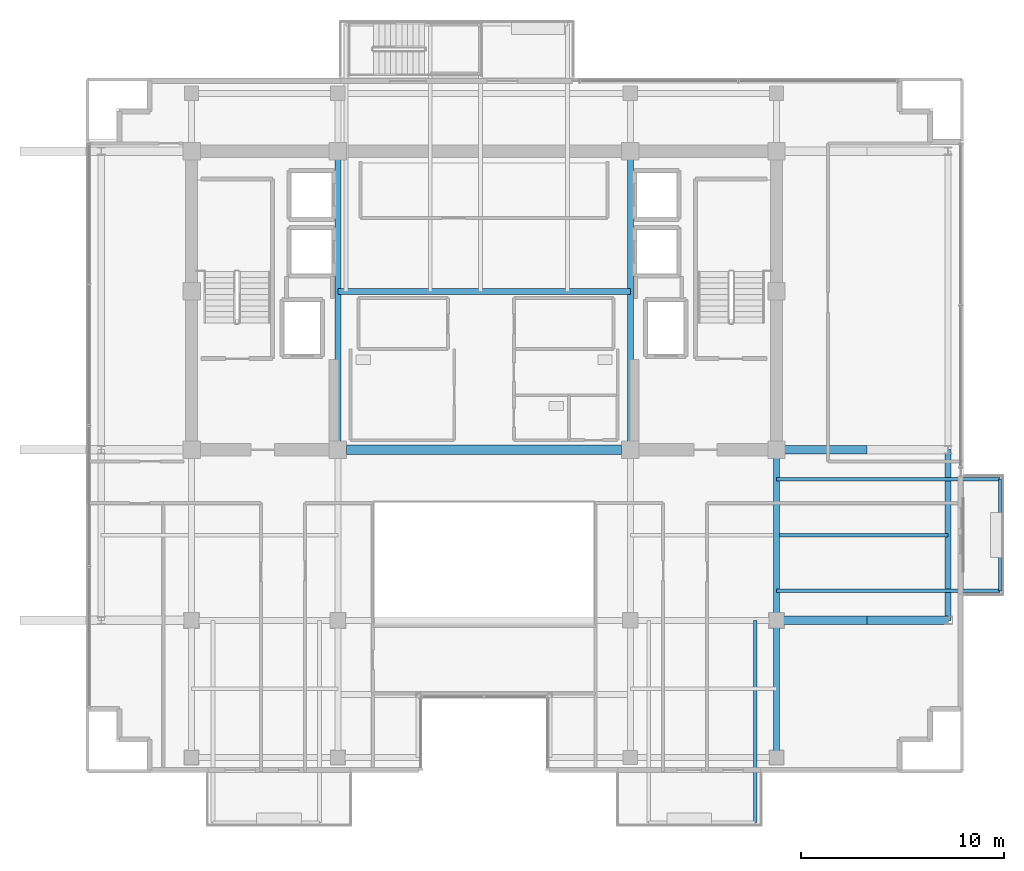
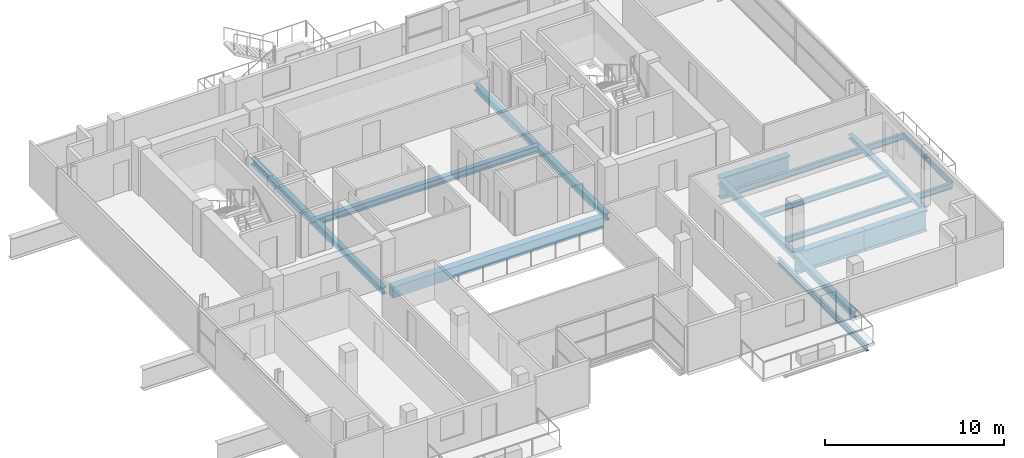
# One storey, part 8 of 23: 15 beams.
"""IFC4 building model written with IfcOpenShell, lengths in metres."""

from ifc_helpers import new_model, si_unit, direction, frame, origin, origin_2d, place, context, subcontext, project, spatial, rectangle, i_section, extrude, material, material_profile, profile_set, type_object, element, save


model = new_model("IFC4")

# Units and contexts
model_context = context("Model", 3, precision=1e-05, world=origin(), true_north=direction((0.0, 1.0)))
body_context = subcontext(model_context, "Body", "Model", "MODEL_VIEW")
ifc_project = project(units=[si_unit("LENGTHUNIT", "METRE"), si_unit("AREAUNIT", "SQUARE_METRE"), si_unit("VOLUMEUNIT", "CUBIC_METRE"), si_unit("PLANEANGLEUNIT", "RADIAN"), si_unit("MASSUNIT", "GRAM", prefix="KILO")], contexts=[model_context])

# Site, building, storey
site_placement = place(None, origin())
site = spatial("IfcSite", under=ifc_project, at=site_placement, CompositionType="ELEMENT")
building_placement = place(site_placement, origin())
building = spatial("IfcBuilding", under=site, at=building_placement, Name="Zarnakvel Exchange Tower", CompositionType="ELEMENT")
storey_placement = place(building_placement, frame((0.0, 0.0, 232.0)))
storey = spatial("IfcBuildingStorey", under=building, at=storey_placement, Name="L65", CompositionType="ELEMENT", Elevation=232.0)

# Beams
ifc_material_1 = material(Name="Steel S355", Category="steel")
ifc_material_profile_1 = material_profile(ifc_material_1, i_section(OverallWidth=0.179931640625, OverallDepth=0.39990234375, WebThickness=0.008544921875, FlangeThickness=0.013427734375, FilletRadius=0.02099609375, at=origin_2d()))
ifc_profile_set_1 = profile_set([ifc_material_profile_1], Name="Steel S355")
beam_type_1 = type_object("IfcBeamType", Name="B-06", PredefinedType="JOIST", material=ifc_profile_set_1)
beam_1_placement = place(storey_placement, frame((13.35009765625, -9.60009765625, -0.425048828125), z_axis=(0.0, -1.0, 0.0), x_axis=(1.0, 0.0, 0.0)))
element("IfcBeam", 1, at=beam_1_placement, inside=storey, type_object=beam_type_1, Name="L65 Continuous Back-Spanned Balcony Beam E", PredefinedType="JOIST", context=body_context, shape_type="SweptSolid", body=[
    extrude(i_section(OverallWidth=0.179931640625, OverallDepth=0.39990234375, WebThickness=0.008544921875, FlangeThickness=0.013427734375, FilletRadius=0.02099609375, at=origin_2d()), origin(), (0.0, 0.0, 1.0), 9.949951171875),
])
for number, where, z_axis, x_axis, name in (
    (2, (14.39990234375, -8.14990234375, -0.425048828125), (1.0, 0.0, 0.0), (0.0, 1.0, 0.0), "L65 Continuous East Loggia Beam S"),
    (3, (14.39990234375, -2.64990234375, -0.425048828125), (1.0, 0.0, 0.0), (0.0, 1.0, 0.0), "L65 Continuous East Loggia Beam N"),
):
    element("IfcBeam", number, at=place(storey_placement, frame(where, z_axis=z_axis, x_axis=x_axis)), inside=storey, type_object=beam_type_1, Name=name, PredefinedType="JOIST", context=body_context, shape_type="SweptSolid", body=[
        extrude(i_section(OverallWidth=0.179931640625, OverallDepth=0.39990234375, WebThickness=0.008544921875, FlangeThickness=0.013427734375, FilletRadius=0.02099609375, at=origin_2d()), origin(), (0.0, 0.0, 1.0), 11.0),
    ])
ifc_material_profile_2 = material_profile(ifc_material_1, i_section(OverallWidth=0.169921875, OverallDepth=0.360107421875, WebThickness=0.008056640625, FlangeThickness=0.0126953125, FilletRadius=0.01806640625, at=origin_2d()))
ifc_profile_set_2 = profile_set([ifc_material_profile_2], Name="Steel S355")
beam_type_2 = type_object("IfcBeamType", Name="B-07", PredefinedType="JOIST", material=ifc_profile_set_2)
beam_2_placement = place(storey_placement, frame((14.550048828125, -5.39990234375, -0.405029296875), z_axis=(1.0, 0.0, 0.0), x_axis=(0.0, 1.0, 0.0)))
element("IfcBeam", 4, at=beam_2_placement, inside=storey, type_object=beam_type_2, Name="L65 Composite Floor Secondary Joist", PredefinedType="JOIST", context=body_context, shape_type="SweptSolid", body=[
    extrude(i_section(OverallWidth=0.169921875, OverallDepth=0.360107421875, WebThickness=0.008056640625, FlangeThickness=0.0126953125, FilletRadius=0.01806640625, at=origin_2d()), origin(), (0.0, 0.0, 1.0), 8.300048828125),
])
ifc_material_profile_3 = material_profile(ifc_material_1, i_section(OverallWidth=0.14990234375, OverallDepth=0.300048828125, WebThickness=0.007080078125, FlangeThickness=0.0107421875, FilletRadius=0.014892578125, at=origin_2d()))
ifc_profile_set_3 = profile_set([ifc_material_profile_3], Name="Steel S355")
beam_type_3 = type_object("IfcBeamType", Name="B-08", PredefinedType="JOIST", material=ifc_profile_set_3)
beam_3_placement = place(storey_placement, frame((25.39990234375, -8.14990234375, -0.375), z_axis=(0.0, 1.0, 0.0), x_axis=(-1.0, 0.0, 0.0)))
element("IfcBeam", 5, at=beam_3_placement, inside=storey, type_object=beam_type_3, Name="L65 East Loggia Edge Beam", PredefinedType="JOIST", context=body_context, shape_type="SweptSolid", body=[
    extrude(i_section(OverallWidth=0.14990234375, OverallDepth=0.300048828125, WebThickness=0.007080078125, FlangeThickness=0.0107421875, FilletRadius=0.014892578125, at=origin_2d()), origin(), (0.0, 0.0, 1.0), 5.5),
])
ifc_material_2 = material(Name="Concrete C50/60", Category="concrete")
ifc_material_profile_4 = material_profile(ifc_material_2, rectangle(XDim=0.449951171875, YDim=0.75, at=origin_2d()))
ifc_profile_set_4 = profile_set([ifc_material_profile_4], Name="Concrete C50/60")
beam_type_4 = type_object("IfcBeamType", Name="CB-03", PredefinedType="LINTEL", material=ifc_profile_set_4)
beam_4_placement = place(storey_placement, frame((-6.77490234375, -1.199951171875, -0.60009765625), z_axis=(1.0, 0.0, 0.0), x_axis=(0.0, 1.0, 0.0)))
element("IfcBeam", 6, at=beam_4_placement, inside=storey, type_object=beam_type_4, Name="L65 Rear Core South Coupling Beam (CB-03)", PredefinedType="LINTEL", context=body_context, shape_type="SweptSolid", body=[
    extrude(rectangle(XDim=0.449951171875, YDim=0.75, at=origin_2d()), origin(), (0.0, 0.0, 1.0), 13.5498046875),
])
ifc_material_profile_5 = material_profile(ifc_material_1, i_section(OverallWidth=0.300048828125, OverallDepth=0.449951171875, WebThickness=0.013916015625, FlangeThickness=0.02587890625, FilletRadius=0.027099609375, at=origin_2d()))
ifc_profile_set_5 = profile_set([ifc_material_profile_5], Name="Steel S355")
beam_type_5 = type_object("IfcBeamType", Name="G-07", PredefinedType="BEAM", material=ifc_profile_set_5)
for number, where, z_axis, x_axis, name in (
    (7, (-7.199951171875, -1.199951171875, -0.449951171875), (0.0, 1.0, 0.0), (-1.0, 0.0, 0.0), "L65 Tower N-S Frame Beam"),
    (8, (7.199951171875, -1.199951171875, -0.449951171875), (0.0, 1.0, 0.0), (-1.0, 0.0, 0.0), "L65 Tower N-S Frame Beam"),
):
    element("IfcBeam", number, at=place(storey_placement, frame(where, z_axis=z_axis, x_axis=x_axis)), inside=storey, type_object=beam_type_5, Name=name, PredefinedType="BEAM", context=body_context, shape_type="SweptSolid", body=[
        extrude(i_section(OverallWidth=0.300048828125, OverallDepth=0.449951171875, WebThickness=0.013916015625, FlangeThickness=0.02587890625, FilletRadius=0.027099609375, at=origin_2d()), origin(), (0.0, 0.0, 1.0), 14.699951171875),
    ])
beam_5_placement = place(storey_placement, frame((14.39990234375, -16.35009765625, -0.449951171875), z_axis=(0.0, 1.0, 0.0), x_axis=(-1.0, 0.0, 0.0)))
element("IfcBeam", 9, at=beam_5_placement, inside=storey, type_object=beam_type_5, Name="L65 Tower N-S Frame Beam", PredefinedType="BEAM", context=body_context, shape_type="SweptSolid", body=[
    extrude(i_section(OverallWidth=0.300048828125, OverallDepth=0.449951171875, WebThickness=0.013916015625, FlangeThickness=0.02587890625, FilletRadius=0.027099609375, at=origin_2d()), origin(), (0.0, 0.0, 1.0), 6.75),
])
beam_6_placement = place(storey_placement, frame((14.39990234375, -9.60009765625, -0.449951171875), z_axis=(0.0, 1.0, 0.0), x_axis=(-1.0, 0.0, 0.0)))
element("IfcBeam", 10, at=beam_6_placement, inside=storey, type_object=beam_type_5, Name="L65 Tower N-S Frame Beam", PredefinedType="BEAM", context=body_context, shape_type="SweptSolid", body=[
    extrude(i_section(OverallWidth=0.300048828125, OverallDepth=0.449951171875, WebThickness=0.013916015625, FlangeThickness=0.02587890625, FilletRadius=0.027099609375, at=origin_2d()), origin(), (0.0, 0.0, 1.0), 8.400146484375),
])
beam_7_placement = place(storey_placement, frame((-7.199951171875, 6.60009765625, -0.449951171875), z_axis=(1.0, 0.0, 0.0), x_axis=(0.0, 1.0, 0.0)))
element("IfcBeam", 11, at=beam_7_placement, inside=storey, type_object=beam_type_5, Name="L65 Core Central Lobby Mid Girder", PredefinedType="BEAM", context=body_context, shape_type="SweptSolid", body=[
    extrude(i_section(OverallWidth=0.300048828125, OverallDepth=0.449951171875, WebThickness=0.013916015625, FlangeThickness=0.02587890625, FilletRadius=0.027099609375, at=origin_2d()), origin(), (0.0, 0.0, 1.0), 14.39990234375),
])
ifc_material_profile_6 = material_profile(ifc_material_1, i_section(OverallWidth=0.300048828125, OverallDepth=0.300048828125, WebThickness=0.010986328125, FlangeThickness=0.01904296875, FilletRadius=0.027099609375, at=origin_2d()))
ifc_profile_set_6 = profile_set([ifc_material_profile_6], Name="Steel S355")
beam_type_6 = type_object("IfcBeamType", Name="SP-03", PredefinedType="SPANDREL", material=ifc_profile_set_6)
beam_8_placement = place(storey_placement, frame((22.85009765625, -9.60009765625, -0.375), z_axis=(0.0, 1.0, 0.0), x_axis=(-1.0, 0.0, 0.0)))
element("IfcBeam", 12, at=beam_8_placement, inside=storey, type_object=beam_type_6, Name="L65 Tower N-S Frame Beam", PredefinedType="SPANDREL", context=body_context, shape_type="SweptSolid", body=[
    extrude(i_section(OverallWidth=0.300048828125, OverallDepth=0.300048828125, WebThickness=0.010986328125, FlangeThickness=0.01904296875, FilletRadius=0.027099609375, at=origin_2d()), origin(), (0.0, 0.0, 1.0), 8.400146484375),
])
ifc_material_3 = material(Name="Steel S460", Category="steel")
ifc_material_profile_7 = material_profile(ifc_material_3, i_section(OverallWidth=0.419921875, OverallDepth=1.449951171875, WebThickness=0.02392578125, FlangeThickness=0.0400390625, FilletRadius=0.030029296875, at=origin_2d()))
ifc_profile_set_7 = profile_set([ifc_material_profile_7], Name="Steel S460")
beam_type_7 = type_object("IfcBeamType", Name="TG-01", PredefinedType="BEAM", material=ifc_profile_set_7)
beam_9_placement = place(storey_placement, frame((14.39990234375, -9.60009765625, -0.949951171875), z_axis=(1.0, 0.0, 0.0), x_axis=(0.0, 1.0, 0.0)))
element("IfcBeam", 13, at=beam_9_placement, inside=storey, type_object=beam_type_7, Name="L65 Block-Shift Backspan Transfer TE-C", PredefinedType="BEAM", context=body_context, shape_type="SweptSolid", body=[
    extrude(i_section(OverallWidth=0.419921875, OverallDepth=1.449951171875, WebThickness=0.02392578125, FlangeThickness=0.0400390625, FilletRadius=0.030029296875, at=origin_2d()), origin(), (0.0, 0.0, 1.0), 4.4501953125),
])
beam_10_placement = place(storey_placement, frame((18.85009765625, -9.60009765625, -0.949951171875), z_axis=(1.0, 0.0, 0.0), x_axis=(0.0, 1.0, 0.0)))
element("IfcBeam", 14, at=beam_10_placement, inside=storey, type_object=beam_type_7, Name="L65 Block-Shift Cantilever Transfer TE-C", PredefinedType="BEAM", context=body_context, shape_type="SweptSolid", body=[
    extrude(i_section(OverallWidth=0.419921875, OverallDepth=1.449951171875, WebThickness=0.02392578125, FlangeThickness=0.0400390625, FilletRadius=0.030029296875, at=origin_2d()), origin(), (0.0, 0.0, 1.0), 4.0),
])
beam_11_placement = place(storey_placement, frame((14.39990234375, -1.199951171875, -0.949951171875), z_axis=(1.0, 0.0, 0.0), x_axis=(0.0, 1.0, 0.0)))
element("IfcBeam", 15, at=beam_11_placement, inside=storey, type_object=beam_type_7, Name="L65 Block-Shift Backspan Transfer TE-D", PredefinedType="BEAM", context=body_context, shape_type="SweptSolid", body=[
    extrude(i_section(OverallWidth=0.419921875, OverallDepth=1.449951171875, WebThickness=0.02392578125, FlangeThickness=0.0400390625, FilletRadius=0.030029296875, at=origin_2d()), origin(), (0.0, 0.0, 1.0), 4.4501953125),
])

save(model, "model.ifc")
